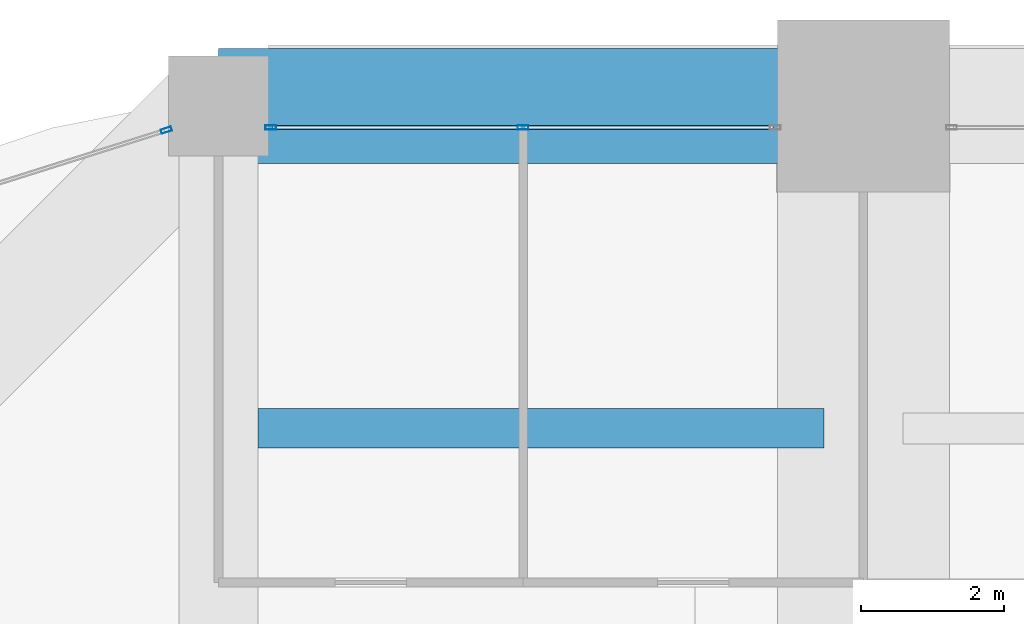
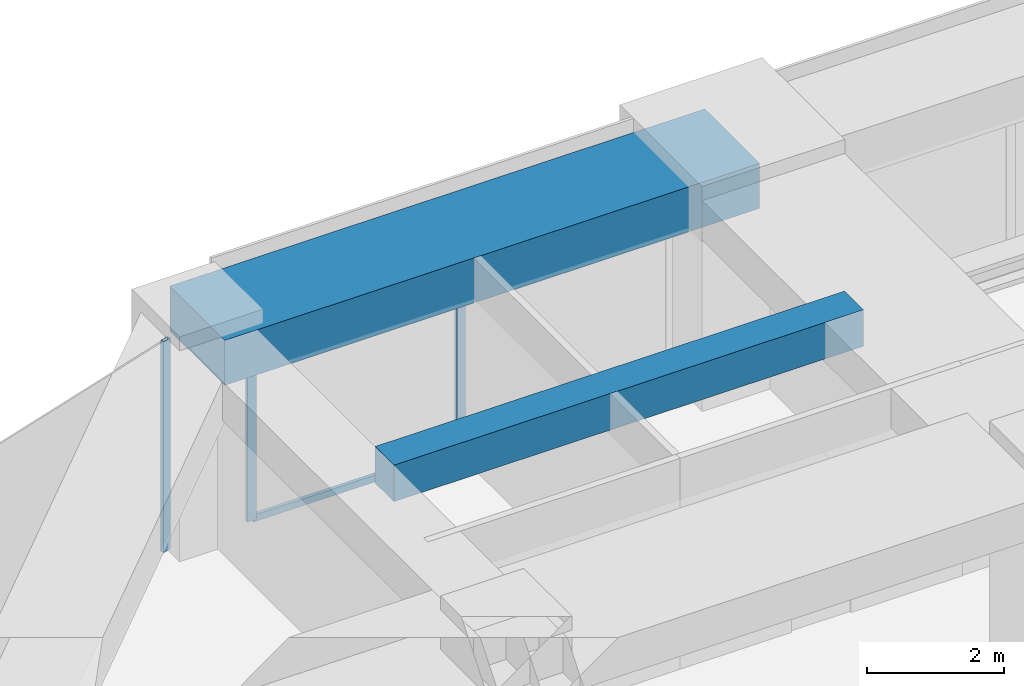
# One storey, part 22 of 34: 4 members, 2 beams, 2 elements without a shape of their own.
"""IFC4 building model written with IfcOpenShell, lengths in metres."""

import ifcopenshell
import ifcopenshell.guid

model = None  # the IFC model being written
_history = None  # IfcOwnerHistory: only IFC2X3 demands one
_inside = {}  # id of a spatial element -> (the spatial element, [elements in it])
_under = {}  # id of a project, library or spatial element -> (it, [spatial elements below it])
_declared = {}  # id of a project -> (the project, [libraries it declares])
_typed = {}  # id of a type object -> (the type object, [elements of that type])
_made_of = {}  # id of a material, layer set ... -> (it, [elements and type objects made of it])


def new_model(schema):
    """Start an empty IFC model of exactly this schema.

    Asked for "IFC4X3", IfcOpenShell would pick the latest addendum, in which some entities
    have other attributes; the version numbers below select the first issue.
    IFC2X3 requires an IfcOwnerHistory on every rooted entity: one is made here for all.
    """
    global model, _history
    if schema == "IFC4X3":
        model = ifcopenshell.file(schema_version=(4, 3, 0, 0))
    else:
        model = ifcopenshell.file(schema=schema)
    _inside.clear()
    _under.clear()
    _declared.clear()
    _typed.clear()
    _made_of.clear()
    _history = None
    if model.schema == "IFC2X3":
        org = make("IfcOrganization", Name="unknown")
        user = make(
            "IfcPersonAndOrganization",
            ThePerson=make("IfcPerson", FamilyName="unknown"),
            TheOrganization=org,
        )
        app = make(
            "IfcApplication",
            ApplicationDeveloper=org,
            Version="unknown",
            ApplicationFullName="unknown",
            ApplicationIdentifier="unknown",
        )
        _history = make(
            "IfcOwnerHistory",
            OwningUser=user,
            OwningApplication=app,
            ChangeAction="ADDED",
            CreationDate=0,
        )
    return model


def make(cls, **values):
    """One entity of the class cls with the attributes given. An attribute that is None is left unset."""
    return model.create_entity(
        cls, **{name: value for name, value in values.items() if value is not None}
    )


def rooted(cls, **values):
    """An entity with a GlobalId (a new one), such as an element, a storey or a relation."""
    return make(cls, GlobalId=ifcopenshell.guid.new(), OwnerHistory=_history, **values)


def si_unit(unit_type, name, prefix=None):
    """IfcSIUnit, for example si_unit("LENGTHUNIT", "METRE", prefix="MILLI")."""
    return make("IfcSIUnit", UnitType=unit_type, Prefix=prefix, Name=name)


def assignment(units):
    """IfcUnitAssignment: the units of a project."""
    return None if units is None else make("IfcUnitAssignment", Units=units)


def point(xyz):
    """IfcCartesianPoint."""
    return None if xyz is None else make("IfcCartesianPoint", Coordinates=xyz)


def direction(xyz):
    """IfcDirection."""
    return None if xyz is None else make("IfcDirection", DirectionRatios=xyz)


def frame(location, z_axis=None, x_axis=None):
    """IfcAxis2Placement3D, a coordinate frame: its origin and axes. An axis left out is left unset."""
    return make(
        "IfcAxis2Placement3D",
        Location=point(location),
        Axis=direction(z_axis),
        RefDirection=direction(x_axis),
    )


def frame_2d(location, x_axis=None):
    """IfcAxis2Placement2D, a coordinate frame in the plane: its origin and x axis."""
    return make(
        "IfcAxis2Placement2D", Location=point(location), RefDirection=direction(x_axis)
    )


def origin():
    """The frame at (0, 0, 0) with its axes left unset."""
    return frame((0.0, 0.0, 0.0))


def origin_2d():
    """The frame at (0, 0) in the plane with its x axis left unset."""
    return frame_2d((0.0, 0.0))


def place(relative_to, where):
    """IfcLocalPlacement: puts the frame where relative to a parent placement (None: the world)."""
    return make(
        "IfcLocalPlacement", PlacementRelTo=relative_to, RelativePlacement=where
    )


def context(
    kind, dimensions, precision=None, world=None, true_north=None, identifier=None
):
    """IfcGeometricRepresentationContext, for example the 3D "Model" context."""
    return make(
        "IfcGeometricRepresentationContext",
        ContextIdentifier=identifier,
        ContextType=kind,
        CoordinateSpaceDimension=dimensions,
        Precision=precision,
        WorldCoordinateSystem=world,
        TrueNorth=true_north,
    )


def subcontext(parent, identifier, kind, view, scale=None):
    """IfcGeometricRepresentationSubContext, for example "Body" below "Model"."""
    return make(
        "IfcGeometricRepresentationSubContext",
        ContextIdentifier=identifier,
        ContextType=kind,
        ParentContext=parent,
        TargetScale=scale,
        TargetView=view,
    )


def project(units=None, contexts=None):
    """IfcProject with its units and contexts."""
    return rooted(
        "IfcProject",
        Name="project",
        RepresentationContexts=contexts,
        UnitsInContext=assignment(units),
    )


def spatial(cls, under=None, at=None, **own):
    """A site, building, storey or space (cls), placed at a placement, below another one or the project."""
    s = rooted(cls, ObjectPlacement=at, **own)
    if under is not None:
        _under.setdefault(under.id(), (under, []))[1].append(s)
    return s


def profile(cls, at=None, kind="AREA", **sizes):
    """A parametric profile (cls). Its sizes go by their IFC names, for example OverallWidth=200.0."""
    return make(cls, ProfileType=kind, Position=at, **sizes)


def rectangle(**sizes):
    """IfcRectangleProfileDef."""
    return profile("IfcRectangleProfileDef", **sizes)


def hollow_rectangle(**sizes):
    """IfcRectangleHollowProfileDef."""
    return profile("IfcRectangleHollowProfileDef", **sizes)


def extrude(swept, where, along, depth):
    """IfcExtrudedAreaSolid: the profile swept, set in the frame where, extruded along a direction by depth."""
    return make(
        "IfcExtrudedAreaSolid",
        SweptArea=swept,
        Position=where,
        ExtrudedDirection=direction(along),
        Depth=depth,
    )


def shape(context_of_items, identifier, shape_type, items):
    """IfcShapeRepresentation: the items that make up one representation, for example the "Body"."""
    return make(
        "IfcShapeRepresentation",
        ContextOfItems=context_of_items,
        RepresentationIdentifier=identifier,
        RepresentationType=shape_type,
        Items=items,
    )


def material(Name=None, Category=None):
    """IfcMaterial."""
    return make("IfcMaterial", Name=Name, Category=Category)


def material_profile(
    of_material, cross_section, Name=None, Category=None, Priority=None
):
    """IfcMaterialProfile: a cross section and its material."""
    return make(
        "IfcMaterialProfile",
        Name=Name,
        Material=of_material,
        Profile=cross_section,
        Priority=Priority,
        Category=Category,
    )


def profile_set(profiles, Name=None, composite=None):
    """IfcMaterialProfileSet."""
    return make(
        "IfcMaterialProfileSet",
        Name=Name,
        MaterialProfiles=profiles,
        CompositeProfile=composite,
    )


def made_of(thing, what):
    """Note that an element or type object is made of a material, layer set ...; save() writes the relation."""
    if what is not None:
        _made_of.setdefault(what.id(), (what, []))[1].append(thing)
    return thing


def type_object(cls, material=None, **own):
    """A type object (cls), such as IfcWallType, which elements share."""
    return made_of(rooted(cls, **own), material)


def element(
    cls,
    number,
    at=None,
    inside=None,
    cuts=None,
    type_object=None,
    material=None,
    context=None,
    identifier="Body",
    shape_type=None,
    held_by="IfcProductDefinitionShape",
    body=None,
    shapes=None,
    **own,
):
    """One element of the class cls, such as IfcWall. Its Tag is "e" and its number.

    at: its placement. inside: the storey or other place that contains it. cuts: it is an
    opening in that element (IfcRelVoidsElement). A single representation is given by context,
    identifier, shape_type and body (its items); several are given by shapes. held_by: the class
    of the entity that holds the representations. save() writes the other relations.
    """
    e = rooted(cls, Tag="e%d" % number, ObjectPlacement=at, **own)
    if body is not None:
        shapes = [shape(context, identifier, shape_type, body)]
    if shapes is not None:
        e.Representation = make(held_by, Representations=shapes)
    if inside is not None:
        _inside.setdefault(inside.id(), (inside, []))[1].append(e)
    if cuts is not None:
        rooted(
            "IfcRelVoidsElement", RelatingBuildingElement=cuts, RelatedOpeningElement=e
        )
    if type_object is not None:
        _typed.setdefault(type_object.id(), (type_object, []))[1].append(e)
    return made_of(e, material)


def aggregate(whole, parts):
    """IfcRelAggregates: a whole, such as a stair, and the parts it consists of."""
    return rooted("IfcRelAggregates", RelatingObject=whole, RelatedObjects=parts)


def save(model, path):
    """Write the relations noted so far, then the file.

    IfcRelAggregates (storeys below a building ...), IfcRelContainedInSpatialStructure (elements
    in a storey), IfcRelDefinesByType, IfcRelAssociatesMaterial and IfcRelDeclares: one each for
    every whole, place, type object, material and project.
    """
    for whole, parts in _under.values():
        aggregate(whole, parts)
    for where, things in _inside.values():
        rooted(
            "IfcRelContainedInSpatialStructure",
            RelatedElements=things,
            RelatingStructure=where,
        )
    for kind, things in _typed.values():
        rooted("IfcRelDefinesByType", RelatedObjects=things, RelatingType=kind)
    for what, things in _made_of.values():
        rooted("IfcRelAssociatesMaterial", RelatedObjects=things, RelatingMaterial=what)
    for by, libraries in _declared.values():
        rooted("IfcRelDeclares", RelatingContext=by, RelatedDefinitions=libraries)
    model.write(path)


model = new_model("IFC4")

# Units and contexts
model_context = context("Model", 3, precision=1e-05, world=origin(), true_north=direction((0.0, 1.0)))
body_context = subcontext(model_context, "Body", "Model", "MODEL_VIEW")
ifc_project = project(units=[si_unit("LENGTHUNIT", "METRE"), si_unit("AREAUNIT", "SQUARE_METRE"), si_unit("VOLUMEUNIT", "CUBIC_METRE"), si_unit("PLANEANGLEUNIT", "RADIAN"), si_unit("MASSUNIT", "GRAM", prefix="KILO")], contexts=[model_context])

# Site, building, storey
site_placement = place(None, origin())
site = spatial("IfcSite", under=ifc_project, at=site_placement, CompositionType="ELEMENT")
building_placement = place(site_placement, origin())
building = spatial("IfcBuilding", under=site, at=building_placement, Name="Zorevar Civic Tower", CompositionType="ELEMENT")
storey_placement = place(building_placement, frame((0.0, 0.0, 226.199951171875)))
storey = spatial("IfcBuildingStorey", under=building, at=storey_placement, Name="L55", CompositionType="ELEMENT", Elevation=226.199951171875)

# Beam
ifc_material_1 = material(Name="Concrete C50/60", Category="concrete")
ifc_material_profile_1 = material_profile(ifc_material_1, rectangle(XDim=0.550048828125, YDim=0.64990234375, at=origin_2d()), Name="RC 550x650")
ifc_profile_set_1 = profile_set([ifc_material_profile_1], Name="Concrete C50/60")
beam_type_1 = type_object("IfcBeamType", Name="Beam RC 550x650", PredefinedType="BEAM", material=ifc_profile_set_1)
beam_1_placement = place(storey_placement, frame((9.550048828125, 40.5, 3.425048828125), z_axis=(1.0, 0.0, 0.0), x_axis=(0.0, 1.0, 0.0)))
element("IfcBeam", 1, at=beam_1_placement, inside=storey, type_object=beam_type_1, Name="Secondary beam L56", PredefinedType="BEAM", context=body_context, shape_type="SweptSolid", body=[
    extrude(rectangle(XDim=0.550048828125, YDim=0.64990234375, at=origin_2d()), origin(), (0.0, 0.0, 1.0), 7.89990234375),
])

# Curtain wall, members
ifc_material_2 = material(Name="Dark grey solar-control glass in black aluminium frame", Category="aluminium")
curtain_wall_type = type_object("IfcCurtainWallType", Name="Curtain wall CW4 high zone", PredefinedType="NOTDEFINED", material=ifc_material_2)
curtain_wall_1_placement = place(storey_placement, origin())
curtain_wall_1 = element("IfcCurtainWall", 2, at=curtain_wall_1_placement, inside=storey, type_object=curtain_wall_type, Name="CW4 L55", PredefinedType="NOTDEFINED")
ifc_material_3 = material(Name="Aluminium, black anodised", Category="aluminium")
ifc_material_profile_2 = material_profile(ifc_material_3, hollow_rectangle(XDim=0.06005859375, YDim=0.14990234375, WallThickness=0.00390625, at=origin_2d()), Name="AL 150x60x4")
ifc_profile_set_2 = profile_set([ifc_material_profile_2], Name="Aluminium, black anodised")
member_type_1 = type_object("IfcMemberType", Name="CW4 mullion AL 150x60x4", PredefinedType="MULLION", material=ifc_profile_set_2)
member_1_placement = place(storey_placement, frame((9.72998046875, 44.699951171875, 0.0), z_axis=(0.0, 0.0, 1.0), x_axis=(0.0, 1.0, 0.0)))
member_1 = element("IfcMember", 3, at=member_1_placement, type_object=member_type_1, Name="CW4 mullion 1", PredefinedType="MULLION", context=body_context, shape_type="SweptSolid", body=[
    extrude(hollow_rectangle(XDim=0.06005859375, YDim=0.14990234375, WallThickness=0.00390625, at=origin_2d()), origin(), (0.0, 0.0, 1.0), 2.949951171875),
])
member_2_placement = place(storey_placement, frame((13.25, 44.699951171875, 0.06005859375), z_axis=(0.0, 0.0, 1.0), x_axis=(0.0, 1.0, 0.0)))
member_2 = element("IfcMember", 4, at=member_2_placement, type_object=member_type_1, Name="CW4 mullion 2", PredefinedType="MULLION", context=body_context, shape_type="SweptSolid", body=[
    extrude(hollow_rectangle(XDim=0.06005859375, YDim=0.14990234375, WallThickness=0.00390625, at=origin_2d()), origin(), (0.0, 0.0, 1.0), 2.889892578125),
])

# Curtain wall, member
curtain_wall_2_placement = place(storey_placement, origin())
curtain_wall_2 = element("IfcCurtainWall", 5, at=curtain_wall_2_placement, inside=storey, type_object=curtain_wall_type, Name="CW4 L55", PredefinedType="NOTDEFINED")
member_3_placement = place(storey_placement, frame((8.271484375, 44.66259765625, 0.0), z_axis=(0.0, 0.0, 1.0), x_axis=(0.301108296077, -0.953589950678, 0.0)))
member_3 = element("IfcMember", 6, at=member_3_placement, type_object=member_type_1, Name="CW4 mullion 1", PredefinedType="MULLION", context=body_context, shape_type="SweptSolid", body=[
    extrude(hollow_rectangle(XDim=0.06005859375, YDim=0.14990234375, WallThickness=0.00390625, at=origin_2d()), origin(), (0.0, 0.0, 1.0), 3.75),
])
aggregate(curtain_wall_2, [member_3])

# Member
ifc_material_4 = material(Name="Aluminium, black anodised", Category="aluminium")
ifc_material_profile_3 = material_profile(ifc_material_4, hollow_rectangle(XDim=0.06005859375, YDim=0.1201171875, WallThickness=0.0029296875, at=origin_2d()), Name="AL 120x60x3")
ifc_profile_set_3 = profile_set([ifc_material_profile_3], Name="Aluminium, black anodised")
member_type_2 = type_object("IfcMemberType", Name="CW4 transom AL 120x60x3", PredefinedType="USERDEFINED", material=ifc_profile_set_3)
member_4_placement = place(storey_placement, frame((9.760009765625, 44.699951171875, 0.030029296875), z_axis=(1.0, 0.0, 0.0), x_axis=(0.0, 1.0, 0.0)))
member_4 = element("IfcMember", 7, at=member_4_placement, type_object=member_type_2, Name="CW4 sill transom", ObjectType="TRANSOM", PredefinedType="USERDEFINED", context=body_context, shape_type="SweptSolid", body=[
    extrude(hollow_rectangle(XDim=0.06005859375, YDim=0.1201171875, WallThickness=0.0029296875, at=origin_2d()), origin(), (0.0, 0.0, 1.0), 6.97998046875),
])

aggregate(curtain_wall_1, [member_1, member_2, member_4])

# Beam
ifc_material_5 = material(Name="Concrete C50/60", Category="concrete")
ifc_material_profile_4 = material_profile(ifc_material_5, rectangle(XDim=1.60009765625, YDim=0.800048828125, at=origin_2d()), Name="RC 1600x800")
ifc_profile_set_4 = profile_set([ifc_material_profile_4], Name="Concrete C50/60")
beam_type_2 = type_object("IfcBeamType", Name="Edge beam RC 1600x800", PredefinedType="SPANDREL", material=ifc_profile_set_4)
beam_2_placement = place(storey_placement, frame((9.0, 45.0, 3.35009765625), z_axis=(1.0, 0.0, 0.0), x_axis=(0.0, 1.0, 0.0)))
element("IfcBeam", 8, at=beam_2_placement, inside=storey, type_object=beam_type_2, Name="Edge beam L56", PredefinedType="SPANDREL", context=body_context, shape_type="SweptSolid", body=[
    extrude(rectangle(XDim=1.60009765625, YDim=0.800048828125, at=origin_2d()), origin(), (0.0, 0.0, 1.0), 9.0),
])

save(model, "model.ifc")
